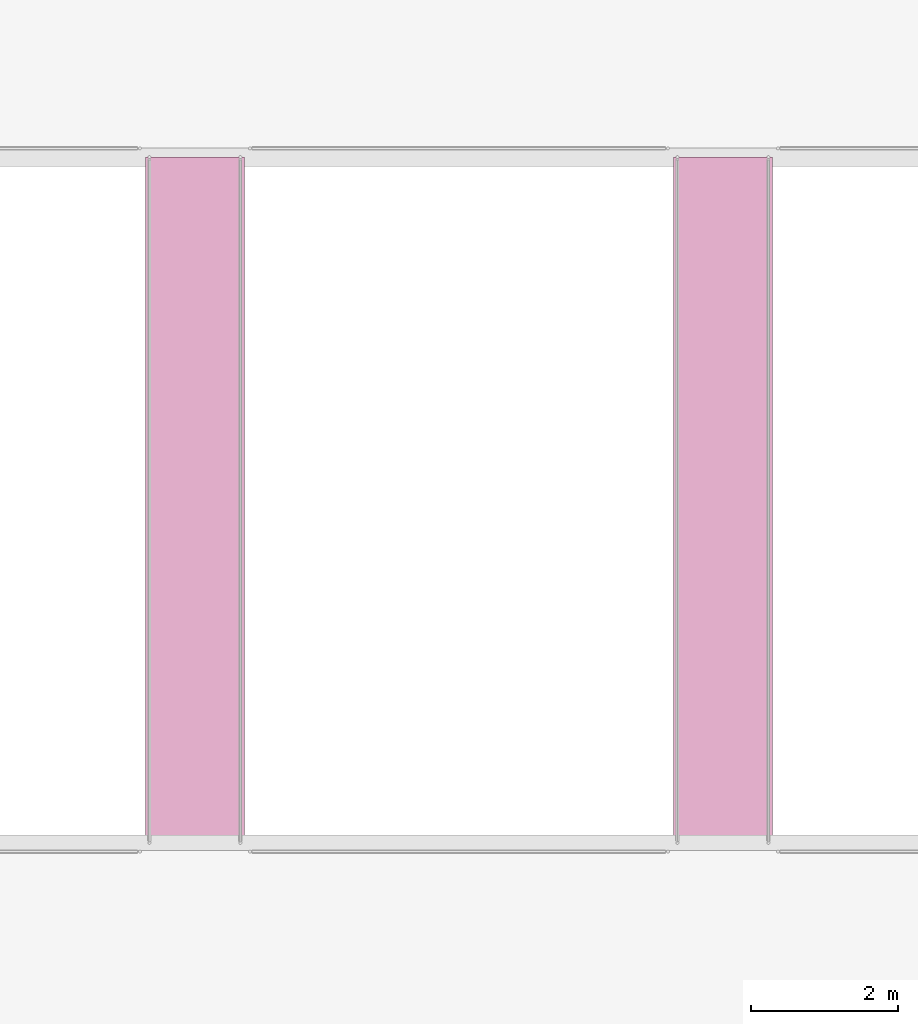
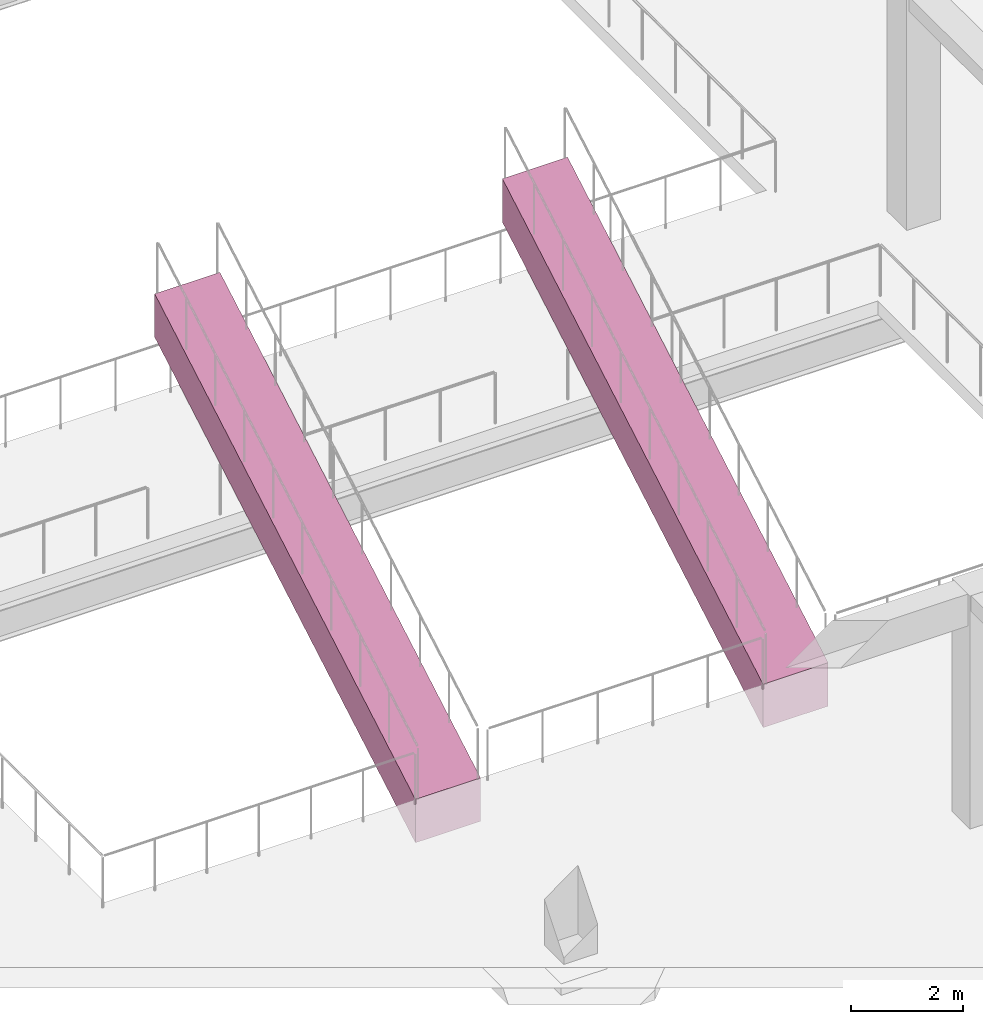
# One storey, part 95 of 95: 2 transport elements.
"""IFC4 building model written with IfcOpenShell, lengths in metres."""

from ifc_helpers import new_model, si_unit, direction, frame, origin, place, context, subcontext, project, spatial, polyline, outline, extrude, material, type_object, element, save


model = new_model("IFC4")

# Units and contexts
model_context = context("Model", 3, precision=1e-05, world=origin(), true_north=direction((0.0, 1.0)))
body_context = subcontext(model_context, "Body", "Model", "MODEL_VIEW")
ifc_project = project(units=[si_unit("LENGTHUNIT", "METRE"), si_unit("AREAUNIT", "SQUARE_METRE"), si_unit("VOLUMEUNIT", "CUBIC_METRE"), si_unit("PLANEANGLEUNIT", "RADIAN"), si_unit("MASSUNIT", "GRAM", prefix="KILO")], contexts=[model_context])

# Site, building, storey
site_placement = place(None, origin())
site = spatial("IfcSite", under=ifc_project, at=site_placement, CompositionType="ELEMENT")
building_placement = place(site_placement, origin())
building = spatial("IfcBuilding", under=site, at=building_placement, Name="Almacenes y Pasaje Nevantli", CompositionType="ELEMENT")
storey_placement = place(building_placement, frame((0.0, 0.0, 11.39990234375)))
storey = spatial("IfcBuildingStorey", under=building, at=storey_placement, Name="L03", CompositionType="ELEMENT", Elevation=11.39990234375)

# Transport elements
ifc_material = material(Name="Stainless Steel Truss Escalator Assembly", Category="steel")
transport_element_type = type_object("IfcTransportElementType", Name="TRN-ESCALATOR-1000", PredefinedType="ESCALATOR", material=ifc_material)
for number, where, z_axis, x_axis, name in (
    (1, (42.60009765625, 47.449951171875, 0.0), (0.0, 0.0, 1.0), (0.0, 1.0, 0.0), "Atrium Crisscross Escalator ESC-05 (L03 to L04)"),
    (2, (49.800048828125, 47.449951171875, 0.0), (0.0, 0.0, 1.0), (0.0, 1.0, 0.0), "Atrium Crisscross Escalator ESC-06 (L04 to L03)"),
):
    element("IfcTransportElement", number, at=place(storey_placement, frame(where, z_axis=z_axis, x_axis=x_axis)), inside=storey, type_object=transport_element_type, Name=name, PredefinedType="ESCALATOR", context=body_context, shape_type="SweptSolid", body=[
        extrude(outline(polyline([(0.0, -0.949951171875), (9.35009765625, 4.449951171875), (9.35009765625, 5.39990234375), (0.0, 0.0), (0.0, -0.949951171875)])), frame((0.0, 0.675048828125, 0.0), z_axis=(0.0, -1.0, 0.0), x_axis=(1.0, 0.0, 0.0)), (0.0, 0.0, 1.0), 1.35009765625),
    ])

save(model, "model.ifc")
